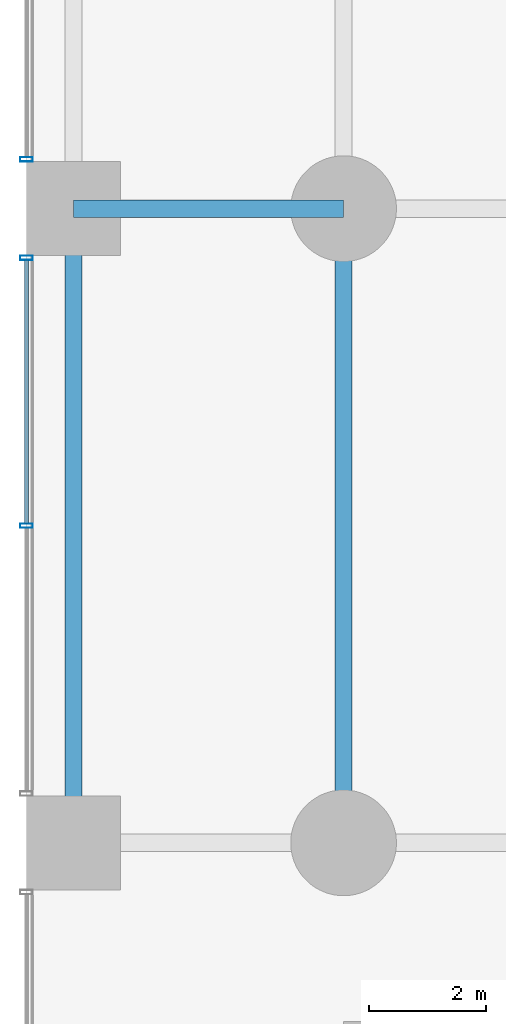
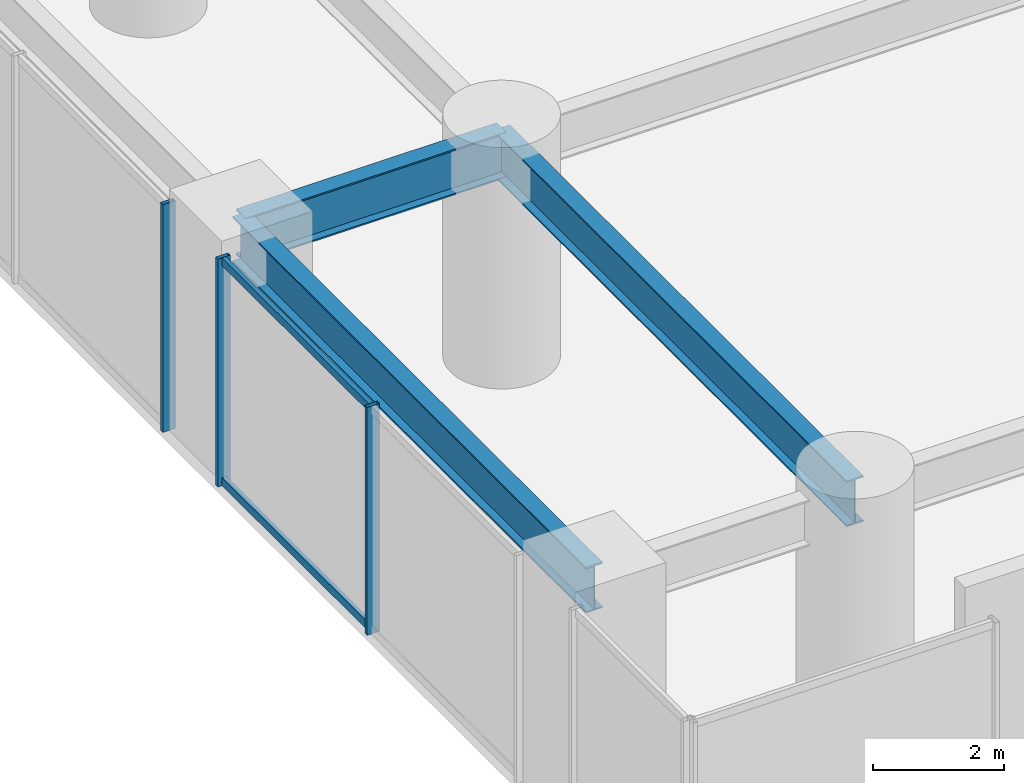
# One storey, part 3 of 36: 5 members, 3 beams, 2 elements without a shape of their own.
"""IFC4 building model written with IfcOpenShell, lengths in metres."""

from ifc_helpers import new_model, si_unit, direction, frame, origin, origin_2d, place, context, subcontext, project, spatial, hollow_rectangle, i_section, extrude, material, layer, layer_set, material_profile, profile_set, type_object, element, aggregate, save


model = new_model("IFC4")

# Units and contexts
model_context = context("Model", 3, precision=1e-05, world=origin(), true_north=direction((0.0, 1.0)))
body_context = subcontext(model_context, "Body", "Model", "MODEL_VIEW")
ifc_project = project(units=[si_unit("LENGTHUNIT", "METRE"), si_unit("AREAUNIT", "SQUARE_METRE"), si_unit("VOLUMEUNIT", "CUBIC_METRE"), si_unit("PLANEANGLEUNIT", "RADIAN"), si_unit("MASSUNIT", "GRAM", prefix="KILO")], contexts=[model_context])

# Site, building, storey
site_placement = place(None, origin())
site = spatial("IfcSite", under=ifc_project, at=site_placement, CompositionType="ELEMENT")
building_placement = place(site_placement, origin())
building = spatial("IfcBuilding", under=site, at=building_placement, Name="Surkhivell Harbour Commons", CompositionType="ELEMENT")
storey_placement = place(building_placement, frame((0.0, 0.0, 9.0)))
storey = spatial("IfcBuildingStorey", under=building, at=storey_placement, Name="L02", CompositionType="ELEMENT", Elevation=9.0)

# Beams
ifc_material_1 = material(Name="Steel S460", Category="steel")
ifc_material_profile_1 = material_profile(ifc_material_1, i_section(OverallWidth=0.2939453125, OverallDepth=0.85107421875, WebThickness=0.01611328125, FlangeThickness=0.02685546875, at=origin_2d()), Name="UB838x292x226")
ifc_profile_set_1 = profile_set([ifc_material_profile_1], Name="Steel S460")
beam_type = type_object("IfcBeamType", Name="BM-SPN-838", PredefinedType="SPANDREL", material=ifc_profile_set_1)
beam_1_placement = place(storey_placement, frame((-37.0, -21.60009765625, 3.824462890625), z_axis=(0.0, 1.0, 0.0), x_axis=(-1.0, 0.0, 0.0)))
element("IfcBeam", 1, at=beam_1_placement, inside=storey, type_object=beam_type, Name="L02 Framing Beam (-37.0,-21.6)", PredefinedType="SPANDREL", context=body_context, shape_type="SweptSolid", body=[
    extrude(i_section(OverallWidth=0.2939453125, OverallDepth=0.85107421875, WebThickness=0.01611328125, FlangeThickness=0.02685546875, at=origin_2d()), origin(), (0.0, 0.0, 1.0), 10.800048828125),
])
beam_2_placement = place(storey_placement, frame((-37.0, -10.800048828125, 3.824462890625), z_axis=(1.0, 0.0, 0.0), x_axis=(0.0, 1.0, 0.0)))
element("IfcBeam", 2, at=beam_2_placement, inside=storey, type_object=beam_type, Name="L02 Framing Beam (-37.0,-10.8)", PredefinedType="SPANDREL", context=body_context, shape_type="SweptSolid", body=[
    extrude(i_section(OverallWidth=0.2939453125, OverallDepth=0.85107421875, WebThickness=0.01611328125, FlangeThickness=0.02685546875, at=origin_2d()), origin(), (0.0, 0.0, 1.0), 4.60009765625),
])
beam_3_placement = place(storey_placement, frame((-32.39990234375, -21.60009765625, 3.824462890625), z_axis=(0.0, 1.0, 0.0), x_axis=(-1.0, 0.0, 0.0)))
element("IfcBeam", 3, at=beam_3_placement, inside=storey, type_object=beam_type, Name="L02 Framing Beam (-32.4,-21.6)", PredefinedType="SPANDREL", context=body_context, shape_type="SweptSolid", body=[
    extrude(i_section(OverallWidth=0.2939453125, OverallDepth=0.85107421875, WebThickness=0.01611328125, FlangeThickness=0.02685546875, at=origin_2d()), origin(), (0.0, 0.0, 1.0), 10.800048828125),
])

# Curtain wall, members
ifc_material_2 = material(Name="Anodised pale-metal aluminium and insulated glazing", Category="aluminium")
ifc_layer = layer(ifc_material_2, 0.239990234375)
ifc_layer_set = layer_set([ifc_layer], Name="Anodised pale-metal aluminium and insulated glazing")
curtain_wall_type = type_object("IfcCurtainWallType", Name="CW-SYS-POD", PredefinedType="NOTDEFINED", material=ifc_layer_set)
curtain_wall_1_placement = place(storey_placement, origin())
curtain_wall_1 = element("IfcCurtainWall", 4, at=curtain_wall_1_placement, inside=storey, type_object=curtain_wall_type, Name="L02 Curtain Wall CW-L02-W2", PredefinedType="NOTDEFINED")
ifc_material_3 = material(Name="Anodised pale-metal aluminium alloy 6063-T6", Category="aluminium")
ifc_material_profile_2 = material_profile(ifc_material_3, hollow_rectangle(XDim=0.074951171875, YDim=0.219970703125, WallThickness=0.00390625, at=origin_2d()), Name="ALU-MULL-75x220")
ifc_profile_set_2 = profile_set([ifc_material_profile_2], Name="Anodised pale-metal aluminium alloy 6063-T6")
member_type_1 = type_object("IfcMemberType", Name="CWM-220", PredefinedType="MULLION", material=ifc_profile_set_2)
member_1_placement = place(storey_placement, frame((-37.800048828125, -16.199951171875, 0.0), z_axis=(0.0, 0.0, 1.0), x_axis=(0.0, 1.0, 0.0)))
member_1 = element("IfcMember", 5, at=member_1_placement, type_object=member_type_1, Name="CW-POD mullion 2", PredefinedType="MULLION", context=body_context, shape_type="SweptSolid", body=[
    extrude(hollow_rectangle(XDim=0.074951171875, YDim=0.219970703125, WallThickness=0.00390625, at=origin_2d()), origin(), (0.0, 0.0, 1.0), 4.25),
])
member_2_placement = place(storey_placement, frame((-37.800048828125, -11.639404296875, 0.0), z_axis=(0.0, 0.0, 1.0), x_axis=(0.0, 1.0, 0.0)))
member_2 = element("IfcMember", 6, at=member_2_placement, type_object=member_type_1, Name="CW-POD mullion 3", PredefinedType="MULLION", context=body_context, shape_type="SweptSolid", body=[
    extrude(hollow_rectangle(XDim=0.074951171875, YDim=0.219970703125, WallThickness=0.00390625, at=origin_2d()), origin(), (0.0, 0.0, 1.0), 4.25),
])

# Curtain wall, member
curtain_wall_2_placement = place(storey_placement, origin())
curtain_wall_2 = element("IfcCurtainWall", 7, at=curtain_wall_2_placement, inside=storey, type_object=curtain_wall_type, Name="L02 Curtain Wall CW-L02-W3", PredefinedType="NOTDEFINED")
member_3_placement = place(storey_placement, frame((-37.800048828125, -9.96044921875, 0.0), z_axis=(0.0, 0.0, 1.0), x_axis=(0.0, 1.0, 0.0)))
member_3 = element("IfcMember", 8, at=member_3_placement, type_object=member_type_1, Name="CW-POD mullion 1", PredefinedType="MULLION", context=body_context, shape_type="SweptSolid", body=[
    extrude(hollow_rectangle(XDim=0.074951171875, YDim=0.219970703125, WallThickness=0.00390625, at=origin_2d()), origin(), (0.0, 0.0, 1.0), 4.25),
])
aggregate(curtain_wall_2, [member_3])

# Member
ifc_material_profile_3 = material_profile(ifc_material_3, hollow_rectangle(XDim=0.074951171875, YDim=0.14990234375, WallThickness=0.00341796875, at=origin_2d()), Name="ALU-TRAN-75x150")
ifc_profile_set_3 = profile_set([ifc_material_profile_3], Name="Anodised pale-metal aluminium alloy 6063-T6")
member_type_2 = type_object("IfcMemberType", Name="CWT-150", PredefinedType="USERDEFINED", material=ifc_profile_set_3)
member_4_placement = place(storey_placement, frame((-37.800048828125, -16.16259765625, 0.074951171875), z_axis=(0.0, 1.0, 0.0), x_axis=(-1.0, 0.0, 0.0)))
member_4 = element("IfcMember", 9, at=member_4_placement, type_object=member_type_2, Name="CW-POD transom 2.1", ObjectType="TRANSOM", PredefinedType="USERDEFINED", context=body_context, shape_type="SweptSolid", body=[
    extrude(hollow_rectangle(XDim=0.074951171875, YDim=0.14990234375, WallThickness=0.00341796875, at=origin_2d()), origin(), (0.0, 0.0, 1.0), 4.485595703125),
])

member_5_placement = place(storey_placement, frame((-37.800048828125, -16.16259765625, 4.175048828125), z_axis=(0.0, 1.0, 0.0), x_axis=(-1.0, 0.0, 0.0)))
member_5 = element("IfcMember", 10, at=member_5_placement, type_object=member_type_2, Name="CW-POD transom 2.2", ObjectType="TRANSOM", PredefinedType="USERDEFINED", context=body_context, shape_type="SweptSolid", body=[
    extrude(hollow_rectangle(XDim=0.074951171875, YDim=0.14990234375, WallThickness=0.00341796875, at=origin_2d()), origin(), (0.0, 0.0, 1.0), 4.485595703125),
])

aggregate(curtain_wall_1, [member_1, member_2, member_4, member_5])

save(model, "model.ifc")
